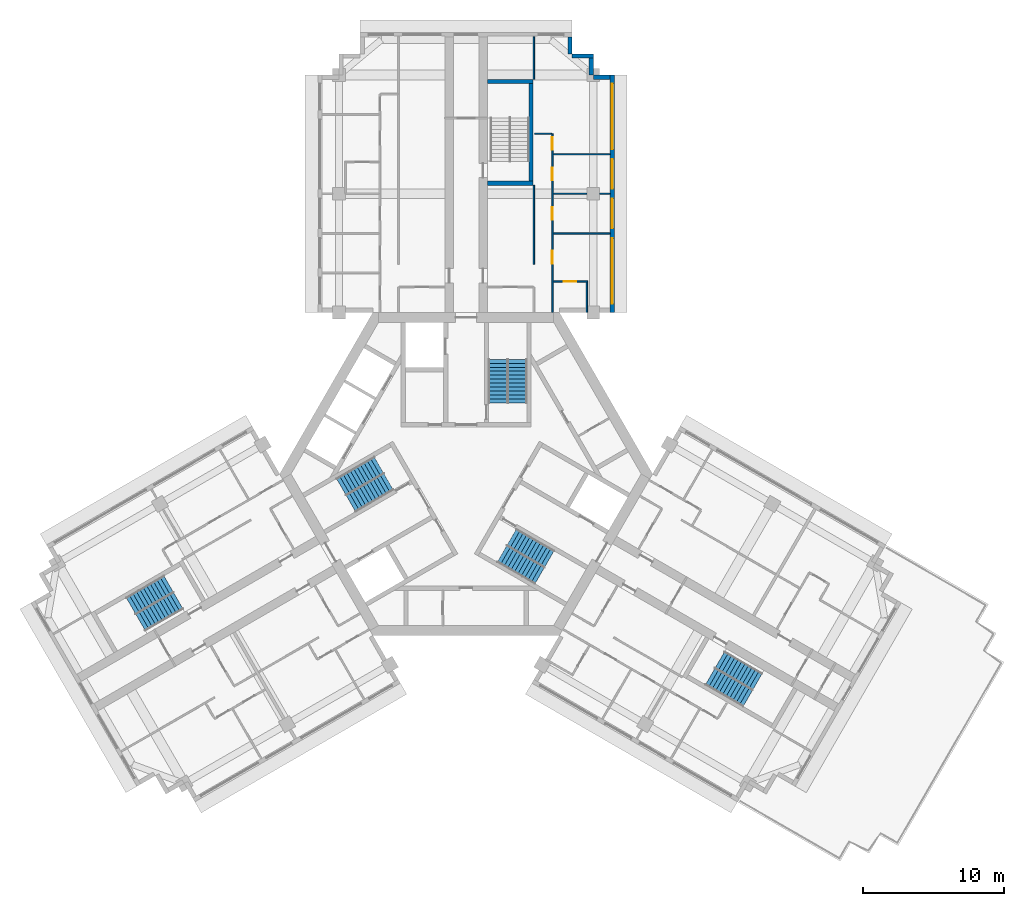
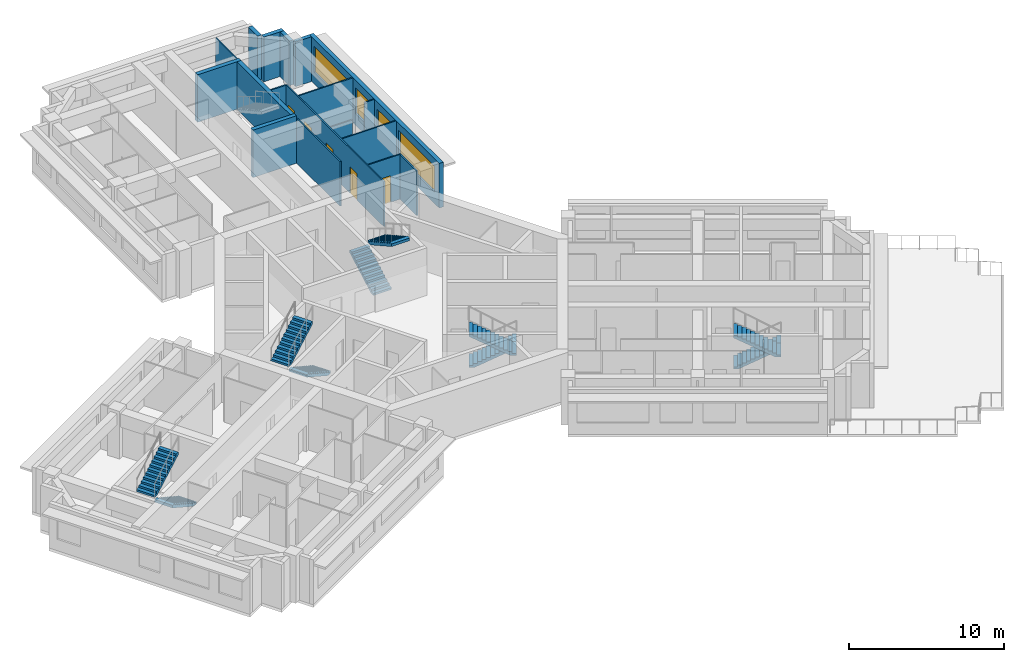
# One storey, part 8 of 11: 18 walls, 10 stair flights, 5 doors, 4 windows, 9 openings, 5 elements without a shape of their own.
"""IFC4 building model written with IfcOpenShell, lengths in metres."""

from ifc_helpers import new_model, si_unit, direction, frame, frame_2d, origin, place, context, subcontext, project, spatial, polyline, rectangle, outline, extrude, material, layer, layer_set, type_object, element, fill, aggregate, save


model = new_model("IFC4")

# Units and contexts
model_context = context("Model", 3, precision=1e-05, world=origin(), true_north=direction((0.0, 1.0)))
body_context = subcontext(model_context, "Body", "Model", "MODEL_VIEW")
ifc_project = project(units=[si_unit("LENGTHUNIT", "METRE"), si_unit("AREAUNIT", "SQUARE_METRE"), si_unit("VOLUMEUNIT", "CUBIC_METRE"), si_unit("PLANEANGLEUNIT", "RADIAN"), si_unit("MASSUNIT", "GRAM", prefix="KILO")], contexts=[model_context])

# Site, building, storey
site_placement = place(None, origin())
site = spatial("IfcSite", under=ifc_project, at=site_placement, CompositionType="ELEMENT")
building_placement = place(site_placement, origin())
building = spatial("IfcBuilding", under=site, at=building_placement, Name="Impinga Residences", CompositionType="ELEMENT")
storey_placement = place(building_placement, frame((0.0, 0.0, 248.5)))
storey = spatial("IfcBuildingStorey", under=building, at=storey_placement, Name="L62", CompositionType="ELEMENT", Elevation=248.5)

# Walls
ifc_material_1 = material(Name="Terracotta rainscreen on blockwork", Category="masonry")
ifc_layer_1 = layer(ifc_material_1, 0.300048828125)
ifc_layer_set_1 = layer_set([ifc_layer_1], Name="EW1 external wall, terracotta rainscreen on blockwork 300")
wall_type_1 = type_object("IfcWallType", Name="EW1 external wall, terracotta rainscreen on blockwork 300", PredefinedType="SOLIDWALL", material=ifc_layer_set_1)
wall_1_placement = place(storey_placement, frame((7.35009765625, 30.931640625, 0.0), z_axis=(0.0, 0.0, 1.0), x_axis=(0.0, -1.0, 0.0)))
element("IfcWall", 1, at=wall_1_placement, inside=storey, type_object=wall_type_1, Name="External wall EW1 L62", PredefinedType="SOLIDWALL", context=body_context, shape_type="SweptSolid", body=[
    extrude(rectangle(XDim=1.195068359375, YDim=0.300048828125, at=frame_2d((0.59765625, 0.0))), origin(), (0.0, 0.0, 1.0), 3.530029296875),
])
wall_2_placement = place(storey_placement, frame((7.5, 29.58154296875, 0.0), z_axis=(0.0, 0.0, 1.0), x_axis=(1.0, 0.0, 0.0)))
element("IfcWall", 2, at=wall_2_placement, inside=storey, type_object=wall_type_1, Name="External wall EW1 L62", PredefinedType="SOLIDWALL", context=body_context, shape_type="SweptSolid", body=[
    extrude(rectangle(XDim=1.5, YDim=0.300048828125, at=frame_2d((0.75, 0.0))), origin(), (0.0, 0.0, 1.0), 3.530029296875),
])
wall_3_placement = place(storey_placement, frame((8.85009765625, 29.431640625, 0.0), z_axis=(0.0, 0.0, 1.0), x_axis=(0.0, -1.0, 0.0)))
element("IfcWall", 3, at=wall_3_placement, inside=storey, type_object=wall_type_1, Name="External wall EW1 L62", PredefinedType="SOLIDWALL", context=body_context, shape_type="SweptSolid", body=[
    extrude(rectangle(XDim=1.2001953125, YDim=0.300048828125, at=frame_2d((0.60009765625, 0.0))), origin(), (0.0, 0.0, 1.0), 3.530029296875),
])
wall_4_placement = place(storey_placement, frame((9.0048828125, 28.08154296875, 0.0), z_axis=(0.0, 0.0, 1.0), x_axis=(1.0, 0.0, 0.0)))
element("IfcWall", 4, at=wall_4_placement, inside=storey, type_object=wall_type_1, Name="External wall EW1 L62", PredefinedType="SOLIDWALL", context=body_context, shape_type="SweptSolid", body=[
    extrude(rectangle(XDim=1.195068359375, YDim=0.300048828125, at=frame_2d((0.59765625, 0.0))), origin(), (0.0, 0.0, 1.0), 3.530029296875),
])

# Wall, openings, windows
wall_5_placement = place(storey_placement, frame((10.35009765625, 28.2314453125, 0.0), z_axis=(0.0, 0.0, 1.0), x_axis=(0.0, -1.0, 0.0)))
wall_5 = element("IfcWall", 5, at=wall_5_placement, inside=storey, type_object=wall_type_1, Name="External wall EW1 L62", PredefinedType="SOLIDWALL", context=body_context, shape_type="SweptSolid", body=[
    extrude(rectangle(XDim=16.7998046875, YDim=0.300048828125, at=frame_2d((8.39990234375, 0.0))), origin(), (0.0, 0.0, 1.0), 3.530029296875),
])
opening_1_placement = place(wall_5_placement, frame((0.60009765625, 0.0, 0.89990234375)))
opening_1 = element("IfcOpeningElement", 6, at=opening_1_placement, cuts=wall_5, Name="Opening W10", PredefinedType="OPENING", context=body_context, shape_type="SweptSolid", body=[
    extrude(rectangle(XDim=4.64990234375, YDim=2.050048828125, at=frame_2d((2.324951171875, 1.02490234375))), frame((0.0, 0.159912109375, 0.0), z_axis=(0.0, -1.0, 0.0), x_axis=(1.0, 0.0, 0.0)), (0.0, 0.0, 1.0), 0.320068359375),
])
opening_2_placement = place(wall_5_placement, frame((5.949951171875, 0.0, 0.89990234375)))
opening_2 = element("IfcOpeningElement", 7, at=opening_2_placement, cuts=wall_5, Name="Opening W9", PredefinedType="OPENING", context=body_context, shape_type="SweptSolid", body=[
    extrude(rectangle(XDim=2.10009765625, YDim=2.050048828125, at=frame_2d((1.050048828125, 1.02490234375))), frame((0.0, 0.159912109375, 0.0), z_axis=(0.0, -1.0, 0.0), x_axis=(1.0, 0.0, 0.0)), (0.0, 0.0, 1.0), 0.320068359375),
])
opening_3_placement = place(wall_5_placement, frame((8.75, 0.0, 0.89990234375)))
opening_3 = element("IfcOpeningElement", 8, at=opening_3_placement, cuts=wall_5, Name="Opening W9", PredefinedType="OPENING", context=body_context, shape_type="SweptSolid", body=[
    extrude(rectangle(XDim=2.10009765625, YDim=2.050048828125, at=frame_2d((1.050048828125, 1.02490234375))), frame((0.0, 0.159912109375, 0.0), z_axis=(0.0, -1.0, 0.0), x_axis=(1.0, 0.0, 0.0)), (0.0, 0.0, 1.0), 0.320068359375),
])
opening_4_placement = place(wall_5_placement, frame((11.550048828125, 0.0, 0.89990234375)))
opening_4 = element("IfcOpeningElement", 9, at=opening_4_placement, cuts=wall_5, Name="Opening W10", PredefinedType="OPENING", context=body_context, shape_type="SweptSolid", body=[
    extrude(rectangle(XDim=4.64990234375, YDim=2.050048828125, at=frame_2d((2.324951171875, 1.02490234375))), frame((0.0, 0.159912109375, 0.0), z_axis=(0.0, -1.0, 0.0), x_axis=(1.0, 0.0, 0.0)), (0.0, 0.0, 1.0), 0.320068359375),
])
ifc_material_2 = material(Name="Aluminium window, clear double glazing", Category="aluminium")
window_type_1 = type_object("IfcWindowType", Name="W10 ribbon window 4650x2050", PartitioningType="SINGLE_PANEL", PredefinedType="WINDOW", material=ifc_material_2)
window_1_placement = place(opening_1_placement, origin())
window_1 = element("IfcWindow", 10, at=window_1_placement, inside=storey, type_object=window_type_1, Name="Window L62", OverallHeight=2.050048828125, OverallWidth=4.64990234375, PartitioningType="SINGLE_PANEL", PredefinedType="WINDOW", context=body_context, shape_type="SweptSolid", body=[
    extrude(rectangle(XDim=4.64990234375, YDim=2.050048828125, at=frame_2d((2.324951171875, 1.02490234375))), frame((0.0, 0.030029296875, 0.0), z_axis=(0.0, -1.0, 0.0), x_axis=(1.0, 0.0, 0.0)), (0.0, 0.0, 1.0), 0.06005859375),
])
fill(opening_1, window_1)
window_2_placement = place(opening_4_placement, origin())
window_2 = element("IfcWindow", 11, at=window_2_placement, inside=storey, type_object=window_type_1, Name="Window L62", OverallHeight=2.050048828125, OverallWidth=4.64990234375, PartitioningType="SINGLE_PANEL", PredefinedType="WINDOW", context=body_context, shape_type="SweptSolid", body=[
    extrude(rectangle(XDim=4.64990234375, YDim=2.050048828125, at=frame_2d((2.324951171875, 1.02490234375))), frame((0.0, 0.030029296875, 0.0), z_axis=(0.0, -1.0, 0.0), x_axis=(1.0, 0.0, 0.0)), (0.0, 0.0, 1.0), 0.06005859375),
])
fill(opening_4, window_2)
window_type_2 = type_object("IfcWindowType", Name="W9 ribbon window 2100x2050", PartitioningType="SINGLE_PANEL", PredefinedType="WINDOW", material=ifc_material_2)
window_3_placement = place(opening_2_placement, origin())
window_3 = element("IfcWindow", 12, at=window_3_placement, inside=storey, type_object=window_type_2, Name="Window L62", OverallHeight=2.050048828125, OverallWidth=2.10009765625, PartitioningType="SINGLE_PANEL", PredefinedType="WINDOW", context=body_context, shape_type="SweptSolid", body=[
    extrude(rectangle(XDim=2.10009765625, YDim=2.050048828125, at=frame_2d((1.050048828125, 1.02490234375))), frame((0.0, 0.030029296875, 0.0), z_axis=(0.0, -1.0, 0.0), x_axis=(1.0, 0.0, 0.0)), (0.0, 0.0, 1.0), 0.06005859375),
])
fill(opening_2, window_3)
window_4_placement = place(opening_3_placement, origin())
window_4 = element("IfcWindow", 13, at=window_4_placement, inside=storey, type_object=window_type_2, Name="Window L62", OverallHeight=2.050048828125, OverallWidth=2.10009765625, PartitioningType="SINGLE_PANEL", PredefinedType="WINDOW", context=body_context, shape_type="SweptSolid", body=[
    extrude(rectangle(XDim=2.10009765625, YDim=2.050048828125, at=frame_2d((1.050048828125, 1.02490234375))), frame((0.0, 0.030029296875, 0.0), z_axis=(0.0, -1.0, 0.0), x_axis=(1.0, 0.0, 0.0)), (0.0, 0.0, 1.0), 0.06005859375),
])
fill(opening_3, window_4)

# Walls
ifc_material_3 = material(Name="Gypsum board on steel studs", Category="steel")
ifc_layer_2 = layer(ifc_material_3, 0.10009765625)
ifc_layer_set_2 = layer_set([ifc_layer_2], Name="Gypsum board on steel studs")
wall_type_2 = type_object("IfcWallType", Name="IP1 partition 100", PredefinedType="PARTITIONING", material=ifc_layer_set_2)
wall_6_placement = place(storey_placement, frame((4.800048828125, 14.83154296875, 0.0), z_axis=(0.0, 0.0, 1.0), x_axis=(0.0, 1.0, 0.0)))
element("IfcWall", 14, at=wall_6_placement, inside=storey, type_object=wall_type_2, Name="Partition L62-NF1:DIV1", PredefinedType="PARTITIONING", context=body_context, shape_type="SweptSolid", body=[
    extrude(rectangle(XDim=5.60009765625, YDim=0.10009765625, at=frame_2d((2.800048828125, 0.0))), origin(), (0.0, 0.0, 1.0), 3.530029296875),
])
wall_7_placement = place(storey_placement, frame((4.800048828125, 27.931640625, 0.0), z_axis=(0.0, 0.0, 1.0), x_axis=(0.0, 1.0, 0.0)))
element("IfcWall", 15, at=wall_7_placement, inside=storey, type_object=wall_type_2, Name="Partition L62-NF1:DIV2", PredefinedType="PARTITIONING", context=body_context, shape_type="SweptSolid", body=[
    extrude(rectangle(XDim=3.0, YDim=0.10009765625, at=frame_2d((1.5, 0.0))), origin(), (0.0, 0.0, 1.0), 3.530029296875),
])

# Wall, openings, doors
wall_8_placement = place(storey_placement, frame((6.10009765625, 11.431640625, 0.0), z_axis=(0.0, 0.0, 1.0), x_axis=(0.0, 1.0, 0.0)))
wall_8 = element("IfcWall", 16, at=wall_8_placement, inside=storey, type_object=wall_type_2, Name="Partition L62-NF1:STRIP", PredefinedType="PARTITIONING", context=body_context, shape_type="SweptSolid", body=[
    extrude(rectangle(XDim=12.64990234375, YDim=0.10009765625, at=frame_2d((6.324951171875, 0.0))), origin(), (0.0, 0.0, 1.0), 3.530029296875),
])
opening_5_placement = place(wall_8_placement, frame((3.449951171875, 0.0, 0.0)))
opening_5 = element("IfcOpeningElement", 17, at=opening_5_placement, cuts=wall_8, Name="Opening D2", PredefinedType="OPENING", context=body_context, shape_type="SweptSolid", body=[
    extrude(rectangle(XDim=0.89990234375, YDim=2.10009765625, at=frame_2d((0.449951171875, 1.050048828125))), frame((0.0, 0.06005859375, 0.0), z_axis=(0.0, -1.0, 0.0), x_axis=(1.0, 0.0, 0.0)), (0.0, 0.0, 1.0), 0.1201171875),
])
opening_6_placement = place(wall_8_placement, frame((6.550048828125, 0.0, 0.0)))
opening_6 = element("IfcOpeningElement", 18, at=opening_6_placement, cuts=wall_8, Name="Opening D2", PredefinedType="OPENING", context=body_context, shape_type="SweptSolid", body=[
    extrude(rectangle(XDim=0.89990234375, YDim=2.10009765625, at=frame_2d((0.449951171875, 1.050048828125))), frame((0.0, 0.06005859375, 0.0), z_axis=(0.0, -1.0, 0.0), x_axis=(1.0, 0.0, 0.0)), (0.0, 0.0, 1.0), 0.1201171875),
])
opening_7_placement = place(wall_8_placement, frame((9.35009765625, 0.0, 0.0)))
opening_7 = element("IfcOpeningElement", 19, at=opening_7_placement, cuts=wall_8, Name="Opening D2", PredefinedType="OPENING", context=body_context, shape_type="SweptSolid", body=[
    extrude(rectangle(XDim=0.89990234375, YDim=2.10009765625, at=frame_2d((0.449951171875, 1.050048828125))), frame((0.0, 0.06005859375, 0.0), z_axis=(0.0, -1.0, 0.0), x_axis=(1.0, 0.0, 0.0)), (0.0, 0.0, 1.0), 0.1201171875),
])
opening_8_placement = place(wall_8_placement, frame((11.5, 0.0, 0.0)))
opening_8 = element("IfcOpeningElement", 20, at=opening_8_placement, cuts=wall_8, Name="Opening D2", PredefinedType="OPENING", context=body_context, shape_type="SweptSolid", body=[
    extrude(rectangle(XDim=0.89990234375, YDim=2.10009765625, at=frame_2d((0.449951171875, 1.050048828125))), frame((0.0, 0.06005859375, 0.0), z_axis=(0.0, -1.0, 0.0), x_axis=(1.0, 0.0, 0.0)), (0.0, 0.0, 1.0), 0.1201171875),
])
ifc_material_4 = material(Name="Timber door set", Category="wood")
door_type = type_object("IfcDoorType", Name="D2 internal door 900x2100", OperationType="SINGLE_SWING_LEFT", PredefinedType="DOOR", material=ifc_material_4)
door_1_placement = place(opening_5_placement, origin())
door_1 = element("IfcDoor", 21, at=door_1_placement, inside=storey, type_object=door_type, Name="Apartment L62-NF1 room door", OperationType="SINGLE_SWING_LEFT", OverallHeight=2.10009765625, OverallWidth=0.89990234375, PredefinedType="DOOR", context=body_context, shape_type="SweptSolid", body=[
    extrude(rectangle(XDim=0.89990234375, YDim=2.10009765625, at=frame_2d((0.449951171875, 1.050048828125))), frame((0.0, 0.02490234375, 0.0), z_axis=(0.0, -1.0, 0.0), x_axis=(1.0, 0.0, 0.0)), (0.0, 0.0, 1.0), 0.050048828125),
])
fill(opening_5, door_1)
door_2_placement = place(opening_6_placement, origin())
door_2 = element("IfcDoor", 22, at=door_2_placement, inside=storey, type_object=door_type, Name="Apartment L62-NF1 room door", OperationType="SINGLE_SWING_RIGHT", OverallHeight=2.10009765625, OverallWidth=0.89990234375, PredefinedType="DOOR", context=body_context, shape_type="SweptSolid", body=[
    extrude(rectangle(XDim=0.89990234375, YDim=2.10009765625, at=frame_2d((0.449951171875, 1.050048828125))), frame((0.0, 0.02490234375, 0.0), z_axis=(0.0, -1.0, 0.0), x_axis=(1.0, 0.0, 0.0)), (0.0, 0.0, 1.0), 0.050048828125),
])
fill(opening_6, door_2)
door_3_placement = place(opening_7_placement, origin())
door_3 = element("IfcDoor", 23, at=door_3_placement, inside=storey, type_object=door_type, Name="Apartment L62-NF1 room door", OperationType="SINGLE_SWING_RIGHT", OverallHeight=2.10009765625, OverallWidth=0.89990234375, PredefinedType="DOOR", context=body_context, shape_type="SweptSolid", body=[
    extrude(rectangle(XDim=0.89990234375, YDim=2.10009765625, at=frame_2d((0.449951171875, 1.050048828125))), frame((0.0, 0.02490234375, 0.0), z_axis=(0.0, -1.0, 0.0), x_axis=(1.0, 0.0, 0.0)), (0.0, 0.0, 1.0), 0.050048828125),
])
fill(opening_7, door_3)
door_4_placement = place(opening_8_placement, origin())
door_4 = element("IfcDoor", 24, at=door_4_placement, inside=storey, type_object=door_type, Name="Apartment L62-NF1 room door", OperationType="SINGLE_SWING_RIGHT", OverallHeight=2.10009765625, OverallWidth=0.89990234375, PredefinedType="DOOR", context=body_context, shape_type="SweptSolid", body=[
    extrude(rectangle(XDim=0.89990234375, YDim=2.10009765625, at=frame_2d((0.449951171875, 1.050048828125))), frame((0.0, 0.02490234375, 0.0), z_axis=(0.0, -1.0, 0.0), x_axis=(1.0, 0.0, 0.0)), (0.0, 0.0, 1.0), 0.050048828125),
])
fill(opening_8, door_4)

# Walls
wall_9_placement = place(storey_placement, frame((4.85009765625, 24.08154296875, 0.0), z_axis=(0.0, 0.0, 1.0), x_axis=(1.0, 0.0, 0.0)))
element("IfcWall", 25, at=wall_9_placement, inside=storey, type_object=wall_type_2, Name="Partition L62-NF1:SE1", PredefinedType="PARTITIONING", context=body_context, shape_type="SweptSolid", body=[
    extrude(rectangle(XDim=1.199951171875, YDim=0.10009765625, at=frame_2d((0.60009765625, 0.0))), origin(), (0.0, 0.0, 1.0), 3.530029296875),
])
wall_10_placement = place(storey_placement, frame((6.14990234375, 17.031494140625, 0.0), z_axis=(0.0, 0.0, 1.0), x_axis=(1.0, 0.0, 0.0)))
element("IfcWall", 26, at=wall_10_placement, inside=storey, type_object=wall_type_2, Name="Partition L62-NF1:OB1", PredefinedType="PARTITIONING", context=body_context, shape_type="SweptSolid", body=[
    extrude(rectangle(XDim=4.050048828125, YDim=0.10009765625, at=frame_2d((2.02490234375, 0.0))), origin(), (0.0, 0.0, 1.0), 3.530029296875),
])
wall_11_placement = place(storey_placement, frame((6.14990234375, 19.83154296875, 0.0), z_axis=(0.0, 0.0, 1.0), x_axis=(1.0, 0.0, 0.0)))
element("IfcWall", 27, at=wall_11_placement, inside=storey, type_object=wall_type_2, Name="Partition L62-NF1:OB2", PredefinedType="PARTITIONING", context=body_context, shape_type="SweptSolid", body=[
    extrude(rectangle(XDim=2.400146484375, YDim=0.10009765625, at=frame_2d((1.2001953125, 0.0))), origin(), (0.0, 0.0, 1.0), 2.47998046875),
])
wall_12_placement = place(storey_placement, frame((9.449951171875, 19.83154296875, 0.0), z_axis=(0.0, 0.0, 1.0), x_axis=(1.0, 0.0, 0.0)))
element("IfcWall", 28, at=wall_12_placement, inside=storey, type_object=wall_type_2, Name="Partition L62-NF1:OB2b", PredefinedType="PARTITIONING", context=body_context, shape_type="SweptSolid", body=[
    extrude(rectangle(XDim=0.75, YDim=0.10009765625, at=frame_2d((0.375, 0.0))), origin(), (0.0, 0.0, 1.0), 3.530029296875),
])
wall_13_placement = place(storey_placement, frame((6.14990234375, 22.631591796875, 0.0), z_axis=(0.0, 0.0, 1.0), x_axis=(1.0, 0.0, 0.0)))
element("IfcWall", 29, at=wall_13_placement, inside=storey, type_object=wall_type_2, Name="Partition L62-NF1:OB3", PredefinedType="PARTITIONING", context=body_context, shape_type="SweptSolid", body=[
    extrude(rectangle(XDim=4.050048828125, YDim=0.10009765625, at=frame_2d((2.02490234375, 0.0))), origin(), (0.0, 0.0, 1.0), 3.530029296875),
])

# Wall, opening, door
wall_14_placement = place(storey_placement, frame((6.14990234375, 13.631591796875, 0.0), z_axis=(0.0, 0.0, 1.0), x_axis=(1.0, 0.0, 0.0)))
wall_14 = element("IfcWall", 30, at=wall_14_placement, inside=storey, type_object=wall_type_2, Name="Partition L62-NF1:EN1", PredefinedType="PARTITIONING", context=body_context, shape_type="SweptSolid", body=[
    extrude(rectangle(XDim=2.4501953125, YDim=0.10009765625, at=frame_2d((1.22509765625, 0.0))), origin(), (0.0, 0.0, 1.0), 3.530029296875),
])
opening_9_placement = place(wall_14_placement, frame((0.75, 0.0, 0.0)))
opening_9 = element("IfcOpeningElement", 31, at=opening_9_placement, cuts=wall_14, Name="Opening D2", PredefinedType="OPENING", context=body_context, shape_type="SweptSolid", body=[
    extrude(rectangle(XDim=0.89990234375, YDim=2.10009765625, at=frame_2d((0.449951171875, 1.050048828125))), frame((0.0, 0.06005859375, 0.0), z_axis=(0.0, -1.0, 0.0), x_axis=(1.0, 0.0, 0.0)), (0.0, 0.0, 1.0), 0.1201171875),
])
door_5_placement = place(opening_9_placement, origin())
door_5 = element("IfcDoor", 32, at=door_5_placement, inside=storey, type_object=door_type, Name="Apartment L62-NF1 en-suite door", OperationType="SINGLE_SWING_LEFT", OverallHeight=2.10009765625, OverallWidth=0.89990234375, PredefinedType="DOOR", context=body_context, shape_type="SweptSolid", body=[
    extrude(rectangle(XDim=0.89990234375, YDim=2.10009765625, at=frame_2d((0.449951171875, 1.050048828125))), frame((0.0, 0.02490234375, 0.0), z_axis=(0.0, -1.0, 0.0), x_axis=(1.0, 0.0, 0.0)), (0.0, 0.0, 1.0), 0.050048828125),
])
fill(opening_9, door_5)

# Walls
wall_15_placement = place(storey_placement, frame((8.550048828125, 11.431640625, 0.0), z_axis=(0.0, 0.0, 1.0), x_axis=(0.0, 1.0, 0.0)))
element("IfcWall", 33, at=wall_15_placement, inside=storey, type_object=wall_type_2, Name="Partition L62-NF1:EN2", PredefinedType="PARTITIONING", context=body_context, shape_type="SweptSolid", body=[
    extrude(rectangle(XDim=2.14990234375, YDim=0.10009765625, at=frame_2d((1.074951171875, 0.0))), origin(), (0.0, 0.0, 1.0), 3.530029296875),
])
ifc_material_5 = material(Name="Concrete C60/75", Category="concrete")
ifc_layer_3 = layer(ifc_material_5, 0.300048828125)
ifc_layer_set_3 = layer_set([ifc_layer_3], Name="Concrete C60/75")
wall_type_3 = type_object("IfcWallType", Name="SE1 wing stair enclosure wall 300", PredefinedType="SOLIDWALL", material=ifc_layer_set_3)
for number, where, z_axis, x_axis, name in (
    (34, (1.5, 20.58154296875, 0.0), (0.0, 0.0, 1.0), (1.0, 0.0, 0.0), "Stair enclosure wall SE1 N END0 L62"),
    (35, (1.5, 27.781494140625, 0.0), (0.0, 0.0, 1.0), (1.0, 0.0, 0.0), "Stair enclosure wall SE1 N END1 L62"),
):
    element("IfcWall", number, at=place(storey_placement, frame(where, z_axis=z_axis, x_axis=x_axis)), inside=storey, type_object=wall_type_3, Name=name, PredefinedType="SOLIDWALL", context=body_context, shape_type="SweptSolid", body=[
        extrude(rectangle(XDim=3.25, YDim=0.300048828125, at=frame_2d((1.625, 0.0))), origin(), (0.0, 0.0, 1.0), 3.75),
    ])
wall_16_placement = place(storey_placement, frame((4.60009765625, 20.7314453125, 0.0), z_axis=(0.0, 0.0, 1.0), x_axis=(0.0, 1.0, 0.0)))
element("IfcWall", 36, at=wall_16_placement, inside=storey, type_object=wall_type_3, Name="Stair enclosure wall SE1 N OUT L62", PredefinedType="SOLIDWALL", context=body_context, shape_type="SweptSolid", body=[
    extrude(rectangle(XDim=6.900146484375, YDim=0.300048828125, at=frame_2d((3.4501953125, 0.0))), origin(), (0.0, 0.0, 1.0), 3.75),
])

# Stair, stair flights
ifc_material_6 = material(Name="Concrete C40/50", Category="concrete")
stair_type_1 = type_object("IfcStairType", Name="STR core stair 3750 storey, 24 risers", PredefinedType="HALF_TURN_STAIR", material=ifc_material_6)
stair_1_placement = place(storey_placement, origin())
stair_1 = element("IfcStair", 37, at=stair_1_placement, inside=storey, type_object=stair_type_1, Name="Stair ST1 L62", PredefinedType="HALF_TURN_STAIR")
stair_flight_type = type_object("IfcStairFlightType", Name="SF 12 risers of 156", PredefinedType="STRAIGHT", material=ifc_material_6)
stair_flight_1_placement = place(storey_placement, frame((2.27490234375, 5.030029296875, 0.0), z_axis=(0.0, 0.0, 1.0), x_axis=(0.0, 1.0, 0.0)))
stair_flight_1 = element("IfcStairFlight", 38, at=stair_flight_1_placement, type_object=stair_flight_type, Name="ST1 flight 1", NumberOfRisers=12, NumberOfTreads=11, PredefinedType="STRAIGHT", RiserHeight=0.15625, TreadLength=0.28, context=body_context, shape_type="SweptSolid", body=[
    extrude(outline(polyline([(0.0, 0.0), (0.0, 0.15625), (0.280029296875, 0.15625), (0.280029296875, 0.3125), (0.56005859375, 0.3125), (0.56005859375, 0.46875), (0.840087890625, 0.46875), (0.840087890625, 0.625), (1.1201171875, 0.625), (1.1201171875, 0.78125), (1.39990234375, 0.78125), (1.39990234375, 0.9375), (1.679931640625, 0.9375), (1.679931640625, 1.09375), (1.9599609375, 1.09375), (1.9599609375, 1.25), (2.239990234375, 1.25), (2.239990234375, 1.40625), (2.52001953125, 1.40625), (2.52001953125, 1.5625), (2.800048828125, 1.5625), (2.800048828125, 1.71875), (3.080078125, 1.71875), (3.080078125, 1.875), (3.080078125, 1.5126953125), (0.369140625, 0.0), (0.0, 0.0)])), frame((0.0, 0.675048828125, 0.0), z_axis=(0.0, -1.0, 0.0), x_axis=(1.0, 0.0, 0.0)), (0.0, 0.0, 1.0), 1.35009765625),
])
stair_flight_2_placement = place(storey_placement, frame((3.625, 8.110107421875, 1.875), z_axis=(0.0, 0.0, 1.0), x_axis=(0.0, -1.0, 0.0)))
stair_flight_2 = element("IfcStairFlight", 39, at=stair_flight_2_placement, type_object=stair_flight_type, Name="ST1 flight 2", NumberOfRisers=12, NumberOfTreads=11, PredefinedType="STRAIGHT", RiserHeight=0.15625, TreadLength=0.28, context=body_context, shape_type="SweptSolid", body=[
    extrude(outline(polyline([(0.0, 0.0), (0.0, 0.15625), (0.280029296875, 0.15625), (0.280029296875, 0.3125), (0.56005859375, 0.3125), (0.56005859375, 0.46875), (0.840087890625, 0.46875), (0.840087890625, 0.625), (1.1201171875, 0.625), (1.1201171875, 0.78125), (1.39990234375, 0.78125), (1.39990234375, 0.9375), (1.679931640625, 0.9375), (1.679931640625, 1.09375), (1.9599609375, 1.09375), (1.9599609375, 1.25), (2.239990234375, 1.25), (2.239990234375, 1.40625), (2.52001953125, 1.40625), (2.52001953125, 1.5625), (2.800048828125, 1.5625), (2.800048828125, 1.71875), (3.080078125, 1.71875), (3.080078125, 1.875), (3.080078125, 1.5126953125), (0.369140625, 0.0), (0.0, 0.0)])), frame((0.0, 0.675048828125, 0.0), z_axis=(0.0, -1.0, 0.0), x_axis=(1.0, 0.0, 0.0)), (0.0, 0.0, 1.0), 1.35009765625),
])
aggregate(stair_1, [stair_flight_1, stair_flight_2])

stair_2_placement = place(storey_placement, origin())
stair_2 = element("IfcStair", 40, at=stair_2_placement, inside=storey, type_object=stair_type_1, Name="Stair ST2 L62", PredefinedType="HALF_TURN_STAIR")
stair_flight_3_placement = place(storey_placement, frame((-5.49365234375, -0.544677734375, 0.0), z_axis=(0.0, 0.0, 1.0), x_axis=(-0.866025403784, -0.5, 0.0)))
stair_flight_3 = element("IfcStairFlight", 41, at=stair_flight_3_placement, type_object=stair_flight_type, Name="ST2 flight 1", NumberOfRisers=12, NumberOfTreads=11, PredefinedType="STRAIGHT", RiserHeight=0.15625, TreadLength=0.28, context=body_context, shape_type="SweptSolid", body=[
    extrude(outline(polyline([(0.0, 0.0), (0.0, 0.15625), (0.280029296875, 0.15625), (0.280029296875, 0.3125), (0.56005859375, 0.3125), (0.56005859375, 0.46875), (0.840087890625, 0.46875), (0.840087890625, 0.625), (1.1201171875, 0.625), (1.1201171875, 0.78125), (1.39990234375, 0.78125), (1.39990234375, 0.9375), (1.679931640625, 0.9375), (1.679931640625, 1.09375), (1.9599609375, 1.09375), (1.9599609375, 1.25), (2.239990234375, 1.25), (2.239990234375, 1.40625), (2.52001953125, 1.40625), (2.52001953125, 1.5625), (2.800048828125, 1.5625), (2.800048828125, 1.71875), (3.080078125, 1.71875), (3.080078125, 1.875), (3.080078125, 1.5126953125), (0.369140625, 0.0), (0.0, 0.0)])), frame((0.0, 0.675048828125, 0.0), z_axis=(0.0, -1.0, 0.0), x_axis=(1.0, 0.0, 0.0)), (0.0, 0.0, 1.0), 1.35009765625),
])
stair_flight_4_placement = place(storey_placement, frame((-8.8359375, -0.915771484375, 1.875), z_axis=(0.0, 0.0, 1.0), x_axis=(0.866025403784, 0.5, 0.0)))
stair_flight_4 = element("IfcStairFlight", 42, at=stair_flight_4_placement, type_object=stair_flight_type, Name="ST2 flight 2", NumberOfRisers=12, NumberOfTreads=11, PredefinedType="STRAIGHT", RiserHeight=0.15625, TreadLength=0.28, context=body_context, shape_type="SweptSolid", body=[
    extrude(outline(polyline([(0.0, 0.0), (0.0, 0.15625), (0.280029296875, 0.15625), (0.280029296875, 0.3125), (0.56005859375, 0.3125), (0.56005859375, 0.46875), (0.840087890625, 0.46875), (0.840087890625, 0.625), (1.1201171875, 0.625), (1.1201171875, 0.78125), (1.39990234375, 0.78125), (1.39990234375, 0.9375), (1.679931640625, 0.9375), (1.679931640625, 1.09375), (1.9599609375, 1.09375), (1.9599609375, 1.25), (2.239990234375, 1.25), (2.239990234375, 1.40625), (2.52001953125, 1.40625), (2.52001953125, 1.5625), (2.800048828125, 1.5625), (2.800048828125, 1.71875), (3.080078125, 1.71875), (3.080078125, 1.875), (3.080078125, 1.5126953125), (0.369140625, 0.0), (0.0, 0.0)])), frame((0.0, 0.675048828125, 0.0), z_axis=(0.0, -1.0, 0.0), x_axis=(1.0, 0.0, 0.0)), (0.0, 0.0, 1.0), 1.35009765625),
])
aggregate(stair_2, [stair_flight_3, stair_flight_4])

stair_3_placement = place(storey_placement, origin())
stair_3 = element("IfcStair", 43, at=stair_3_placement, inside=storey, type_object=stair_type_1, Name="Stair ST3 L62", PredefinedType="HALF_TURN_STAIR")
stair_flight_5_placement = place(storey_placement, frame((3.218505859375, -4.485107421875, 0.0), z_axis=(0.0, 0.0, 1.0), x_axis=(0.866025403784, -0.5, 0.0)))
stair_flight_5 = element("IfcStairFlight", 44, at=stair_flight_5_placement, type_object=stair_flight_type, Name="ST3 flight 1", NumberOfRisers=12, NumberOfTreads=11, PredefinedType="STRAIGHT", RiserHeight=0.15625, TreadLength=0.28, context=body_context, shape_type="SweptSolid", body=[
    extrude(outline(polyline([(0.0, 0.0), (0.0, 0.15625), (0.280029296875, 0.15625), (0.280029296875, 0.3125), (0.56005859375, 0.3125), (0.56005859375, 0.46875), (0.840087890625, 0.46875), (0.840087890625, 0.625), (1.1201171875, 0.625), (1.1201171875, 0.78125), (1.39990234375, 0.78125), (1.39990234375, 0.9375), (1.679931640625, 0.9375), (1.679931640625, 1.09375), (1.9599609375, 1.09375), (1.9599609375, 1.25), (2.239990234375, 1.25), (2.239990234375, 1.40625), (2.52001953125, 1.40625), (2.52001953125, 1.5625), (2.800048828125, 1.5625), (2.800048828125, 1.71875), (3.080078125, 1.71875), (3.080078125, 1.875), (3.080078125, 1.5126953125), (0.369140625, 0.0), (0.0, 0.0)])), frame((0.0, 0.675048828125, 0.0), z_axis=(0.0, -1.0, 0.0), x_axis=(1.0, 0.0, 0.0)), (0.0, 0.0, 1.0), 1.35009765625),
])
stair_flight_6_placement = place(storey_placement, frame((5.2109375, -7.1943359375, 1.875), z_axis=(0.0, 0.0, 1.0), x_axis=(-0.866025403784, 0.5, 0.0)))
stair_flight_6 = element("IfcStairFlight", 45, at=stair_flight_6_placement, type_object=stair_flight_type, Name="ST3 flight 2", NumberOfRisers=12, NumberOfTreads=11, PredefinedType="STRAIGHT", RiserHeight=0.15625, TreadLength=0.28, context=body_context, shape_type="SweptSolid", body=[
    extrude(outline(polyline([(0.0, 0.0), (0.0, 0.15625), (0.280029296875, 0.15625), (0.280029296875, 0.3125), (0.56005859375, 0.3125), (0.56005859375, 0.46875), (0.840087890625, 0.46875), (0.840087890625, 0.625), (1.1201171875, 0.625), (1.1201171875, 0.78125), (1.39990234375, 0.78125), (1.39990234375, 0.9375), (1.679931640625, 0.9375), (1.679931640625, 1.09375), (1.9599609375, 1.09375), (1.9599609375, 1.25), (2.239990234375, 1.25), (2.239990234375, 1.40625), (2.52001953125, 1.40625), (2.52001953125, 1.5625), (2.800048828125, 1.5625), (2.800048828125, 1.71875), (3.080078125, 1.71875), (3.080078125, 1.875), (3.080078125, 1.5126953125), (0.369140625, 0.0), (0.0, 0.0)])), frame((0.0, 0.675048828125, 0.0), z_axis=(0.0, -1.0, 0.0), x_axis=(1.0, 0.0, 0.0)), (0.0, 0.0, 1.0), 1.35009765625),
])
aggregate(stair_3, [stair_flight_5, stair_flight_6])

stair_type_2 = type_object("IfcStairType", Name="STR wing stair 3750 storey, 24 risers", PredefinedType="HALF_TURN_STAIR", material=ifc_material_6)
stair_4_placement = place(storey_placement, origin())
stair_4 = element("IfcStair", 46, at=stair_4_placement, inside=storey, type_object=stair_type_2, Name="Stair WS2 L62", PredefinedType="HALF_TURN_STAIR")
stair_flight_7_placement = place(storey_placement, frame((-20.37890625, -8.965576171875, 0.0), z_axis=(0.0, 0.0, 1.0), x_axis=(-0.866025403784, -0.5, 0.0)))
stair_flight_7 = element("IfcStairFlight", 47, at=stair_flight_7_placement, type_object=stair_flight_type, Name="WS2 flight 1", NumberOfRisers=12, NumberOfTreads=11, PredefinedType="STRAIGHT", RiserHeight=0.15625, TreadLength=0.28, context=body_context, shape_type="SweptSolid", body=[
    extrude(outline(polyline([(0.0, 0.0), (0.0, 0.15625), (0.280029296875, 0.15625), (0.280029296875, 0.3125), (0.56005859375, 0.3125), (0.56005859375, 0.46875), (0.840087890625, 0.46875), (0.840087890625, 0.625), (1.1201171875, 0.625), (1.1201171875, 0.78125), (1.39990234375, 0.78125), (1.39990234375, 0.9375), (1.679931640625, 0.9375), (1.679931640625, 1.09375), (1.9599609375, 1.09375), (1.9599609375, 1.25), (2.239990234375, 1.25), (2.239990234375, 1.40625), (2.52001953125, 1.40625), (2.52001953125, 1.5625), (2.800048828125, 1.5625), (2.800048828125, 1.71875), (3.080078125, 1.71875), (3.080078125, 1.875), (3.080078125, 1.5126953125), (0.369140625, 0.0), (0.0, 0.0)])), frame((0.0, 0.675048828125, 0.0), z_axis=(0.0, -1.0, 0.0), x_axis=(1.0, 0.0, 0.0)), (0.0, 0.0, 1.0), 1.35009765625),
])
stair_flight_8_placement = place(storey_placement, frame((-23.721435546875, -9.33642578125, 1.875), z_axis=(0.0, 0.0, 1.0), x_axis=(0.866025403784, 0.5, 0.0)))
stair_flight_8 = element("IfcStairFlight", 48, at=stair_flight_8_placement, type_object=stair_flight_type, Name="WS2 flight 2", NumberOfRisers=12, NumberOfTreads=11, PredefinedType="STRAIGHT", RiserHeight=0.15625, TreadLength=0.28, context=body_context, shape_type="SweptSolid", body=[
    extrude(outline(polyline([(0.0, 0.0), (0.0, 0.15625), (0.280029296875, 0.15625), (0.280029296875, 0.3125), (0.56005859375, 0.3125), (0.56005859375, 0.46875), (0.840087890625, 0.46875), (0.840087890625, 0.625), (1.1201171875, 0.625), (1.1201171875, 0.78125), (1.39990234375, 0.78125), (1.39990234375, 0.9375), (1.679931640625, 0.9375), (1.679931640625, 1.09375), (1.9599609375, 1.09375), (1.9599609375, 1.25), (2.239990234375, 1.25), (2.239990234375, 1.40625), (2.52001953125, 1.40625), (2.52001953125, 1.5625), (2.800048828125, 1.5625), (2.800048828125, 1.71875), (3.080078125, 1.71875), (3.080078125, 1.875), (3.080078125, 1.5126953125), (0.369140625, 0.0), (0.0, 0.0)])), frame((0.0, 0.675048828125, 0.0), z_axis=(0.0, -1.0, 0.0), x_axis=(1.0, 0.0, 0.0)), (0.0, 0.0, 1.0), 1.35009765625),
])
aggregate(stair_4, [stair_flight_7, stair_flight_8])

stair_5_placement = place(storey_placement, origin())
stair_5 = element("IfcStair", 49, at=stair_5_placement, inside=storey, type_object=stair_type_2, Name="Stair WS3 L62", PredefinedType="HALF_TURN_STAIR")
stair_flight_9_placement = place(storey_placement, frame((17.953857421875, -13.165771484375, 0.0), z_axis=(0.0, 0.0, 1.0), x_axis=(0.866025403784, -0.5, 0.0)))
stair_flight_9 = element("IfcStairFlight", 50, at=stair_flight_9_placement, type_object=stair_flight_type, Name="WS3 flight 1", NumberOfRisers=12, NumberOfTreads=11, PredefinedType="STRAIGHT", RiserHeight=0.15625, TreadLength=0.28, context=body_context, shape_type="SweptSolid", body=[
    extrude(outline(polyline([(0.0, 0.0), (0.0, 0.15625), (0.280029296875, 0.15625), (0.280029296875, 0.3125), (0.56005859375, 0.3125), (0.56005859375, 0.46875), (0.840087890625, 0.46875), (0.840087890625, 0.625), (1.1201171875, 0.625), (1.1201171875, 0.78125), (1.39990234375, 0.78125), (1.39990234375, 0.9375), (1.679931640625, 0.9375), (1.679931640625, 1.09375), (1.9599609375, 1.09375), (1.9599609375, 1.25), (2.239990234375, 1.25), (2.239990234375, 1.40625), (2.52001953125, 1.40625), (2.52001953125, 1.5625), (2.800048828125, 1.5625), (2.800048828125, 1.71875), (3.080078125, 1.71875), (3.080078125, 1.875), (3.080078125, 1.5126953125), (0.369140625, 0.0), (0.0, 0.0)])), frame((0.0, 0.675048828125, 0.0), z_axis=(0.0, -1.0, 0.0), x_axis=(1.0, 0.0, 0.0)), (0.0, 0.0, 1.0), 1.35009765625),
])
stair_flight_10_placement = place(storey_placement, frame((19.9462890625, -15.875, 1.875), z_axis=(0.0, 0.0, 1.0), x_axis=(-0.866025403784, 0.5, 0.0)))
stair_flight_10 = element("IfcStairFlight", 51, at=stair_flight_10_placement, type_object=stair_flight_type, Name="WS3 flight 2", NumberOfRisers=12, NumberOfTreads=11, PredefinedType="STRAIGHT", RiserHeight=0.15625, TreadLength=0.28, context=body_context, shape_type="SweptSolid", body=[
    extrude(outline(polyline([(0.0, 0.0), (0.0, 0.15625), (0.280029296875, 0.15625), (0.280029296875, 0.3125), (0.56005859375, 0.3125), (0.56005859375, 0.46875), (0.840087890625, 0.46875), (0.840087890625, 0.625), (1.1201171875, 0.625), (1.1201171875, 0.78125), (1.39990234375, 0.78125), (1.39990234375, 0.9375), (1.679931640625, 0.9375), (1.679931640625, 1.09375), (1.9599609375, 1.09375), (1.9599609375, 1.25), (2.239990234375, 1.25), (2.239990234375, 1.40625), (2.52001953125, 1.40625), (2.52001953125, 1.5625), (2.800048828125, 1.5625), (2.800048828125, 1.71875), (3.080078125, 1.71875), (3.080078125, 1.875), (3.080078125, 1.5126953125), (0.369140625, 0.0), (0.0, 0.0)])), frame((0.0, 0.675048828125, 0.0), z_axis=(0.0, -1.0, 0.0), x_axis=(1.0, 0.0, 0.0)), (0.0, 0.0, 1.0), 1.35009765625),
])
aggregate(stair_5, [stair_flight_9, stair_flight_10])

save(model, "model.ifc")
